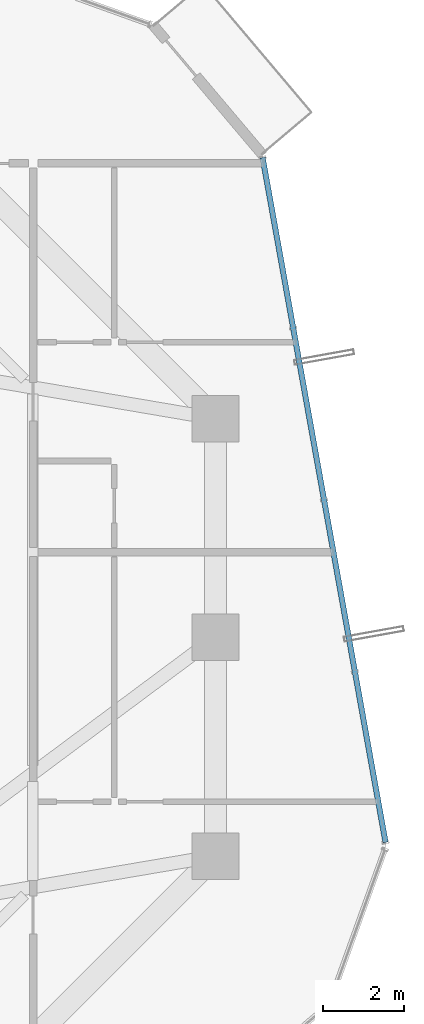
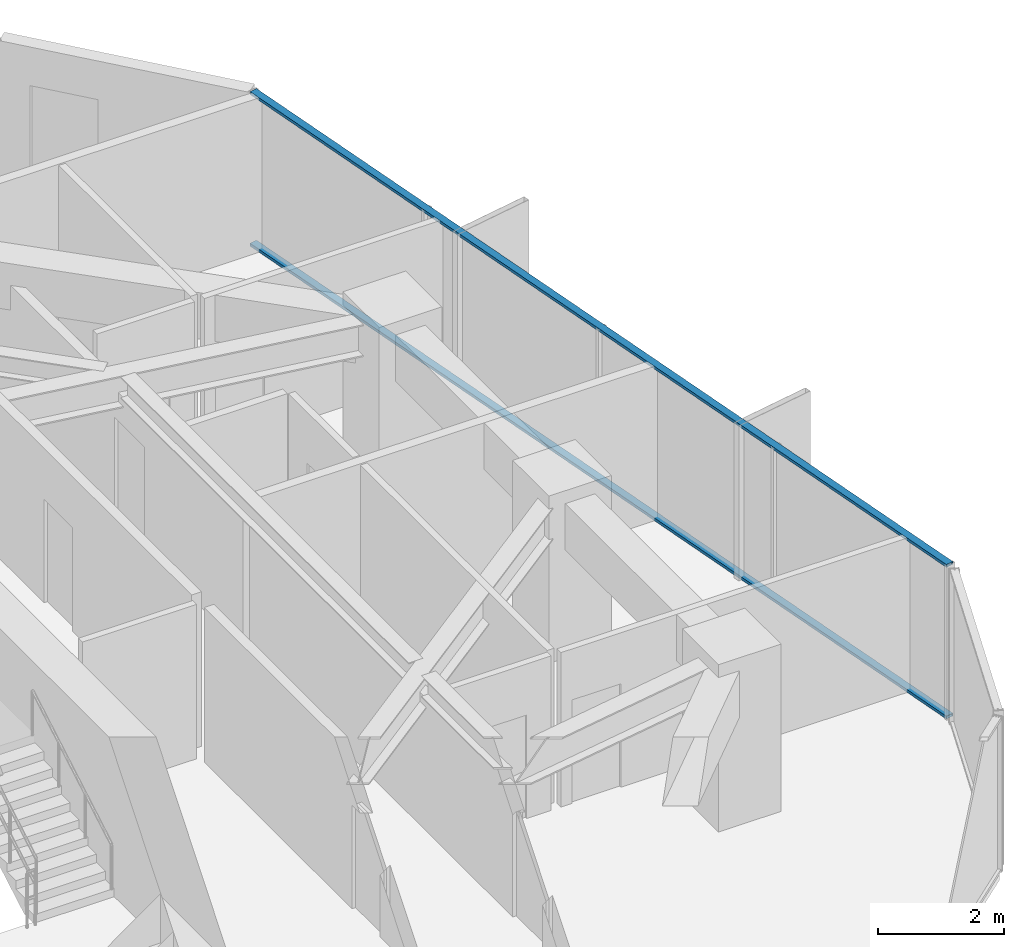
# One storey, part 19 of 36: 2 members, 1 element without a shape of its own.
"""IFC4 building model written with IfcOpenShell, lengths in metres."""

from ifc_helpers import new_model, si_unit, direction, frame, origin, origin_2d, place, context, subcontext, project, spatial, hollow_rectangle, extrude, source, transform, mapped, material, layer, layer_set, material_profile, profile_set, type_object, element, aggregate, save


model = new_model("IFC4")

# Units and contexts
model_context = context("Model", 3, precision=1e-05, world=origin(), true_north=direction((0.0, 1.0)))
body_context = subcontext(model_context, "Body", "Model", "MODEL_VIEW")
ifc_project = project(units=[si_unit("LENGTHUNIT", "METRE"), si_unit("AREAUNIT", "SQUARE_METRE"), si_unit("VOLUMEUNIT", "CUBIC_METRE"), si_unit("PLANEANGLEUNIT", "RADIAN"), si_unit("MASSUNIT", "GRAM", prefix="KILO")], contexts=[model_context])

# Site, building, storey
site_placement = place(None, origin())
site = spatial("IfcSite", under=ifc_project, at=site_placement, CompositionType="ELEMENT")
building_placement = place(site_placement, origin())
building = spatial("IfcBuilding", under=site, at=building_placement, Name="Veraguas Prism Commons", CompositionType="ELEMENT")
storey_placement = place(building_placement, frame((0.0, 0.0, 163.050048828125)))
storey = spatial("IfcBuildingStorey", under=building, at=storey_placement, Name="L46", CompositionType="ELEMENT", Elevation=163.050048828125)

# Curtain wall, members
ifc_material = material(Name="Anodised aluminium EN AW-6063 T6", Category="aluminium")
ifc_layer = layer(ifc_material, 0.169921875, Name="Unitised Flush Curtain Wall Zone 2", Category="aluminium")
ifc_layer_set = layer_set([ifc_layer], Name="Anodised aluminium EN AW-6063 T6")
curtain_wall_type = type_object("IfcCurtainWallType", Name="Unitised Flush Curtain Wall Zone 2", PredefinedType="NOTDEFINED", material=ifc_layer_set)
curtain_wall_placement = place(storey_placement, origin())
curtain_wall = element("IfcCurtainWall", 1, at=curtain_wall_placement, inside=storey, type_object=curtain_wall_type, Name="Tower Facade Curtain Wall L46-F6", PredefinedType="NOTDEFINED")
ifc_material_profile = material_profile(ifc_material, hollow_rectangle(XDim=0.054931640625, YDim=0.135009765625, WallThickness=0.0029296875, at=origin_2d()), Name="AL55X135X3")
ifc_profile_set = profile_set([ifc_material_profile], Name="Anodised aluminium EN AW-6063 T6")
member_type = type_object("IfcMemberType", Name="Curtain Wall Transom Standard AL 55x135x3", PredefinedType="USERDEFINED", material=ifc_profile_set)
shared_shape = source(origin(), body_context, "Body", "SweptSolid", [
    extrude(hollow_rectangle(XDim=0.054931640625, YDim=0.135009765625, WallThickness=0.0029296875, at=origin_2d()), origin(), (0.0, 0.0, 1.0), 17.17431640625),
])
member_1_placement = place(storey_placement, frame((44.398193359375, 18.938232421875, 0.02734375), z_axis=(-0.176739630066, 0.984257640643, 0.0), x_axis=(0.0, 0.0, 1.0)))
member_1 = element("IfcMember", 2, at=member_1_placement, type_object=member_type, Name="CW-Z2 Transom 1", ObjectType="TRANSOM", PredefinedType="USERDEFINED", context=body_context, shape_type="MappedRepresentation", body=[
    mapped(shared_shape, transform((0.0, 0.0, 0.0), scale=1.0)),
])
member_2_placement = place(storey_placement, frame((44.398193359375, 18.938232421875, 2.972412109375), z_axis=(-0.176739630066, 0.984257640643, 0.0), x_axis=(0.0, 0.0, 1.0)))
member_2 = element("IfcMember", 3, at=member_2_placement, type_object=member_type, Name="CW-Z2 Transom 2", ObjectType="TRANSOM", PredefinedType="USERDEFINED", context=body_context, shape_type="MappedRepresentation", body=[
    mapped(shared_shape, transform((0.0, 0.0, 0.0), scale=1.0)),
])
aggregate(curtain_wall, [member_1, member_2])

save(model, "model.ifc")
